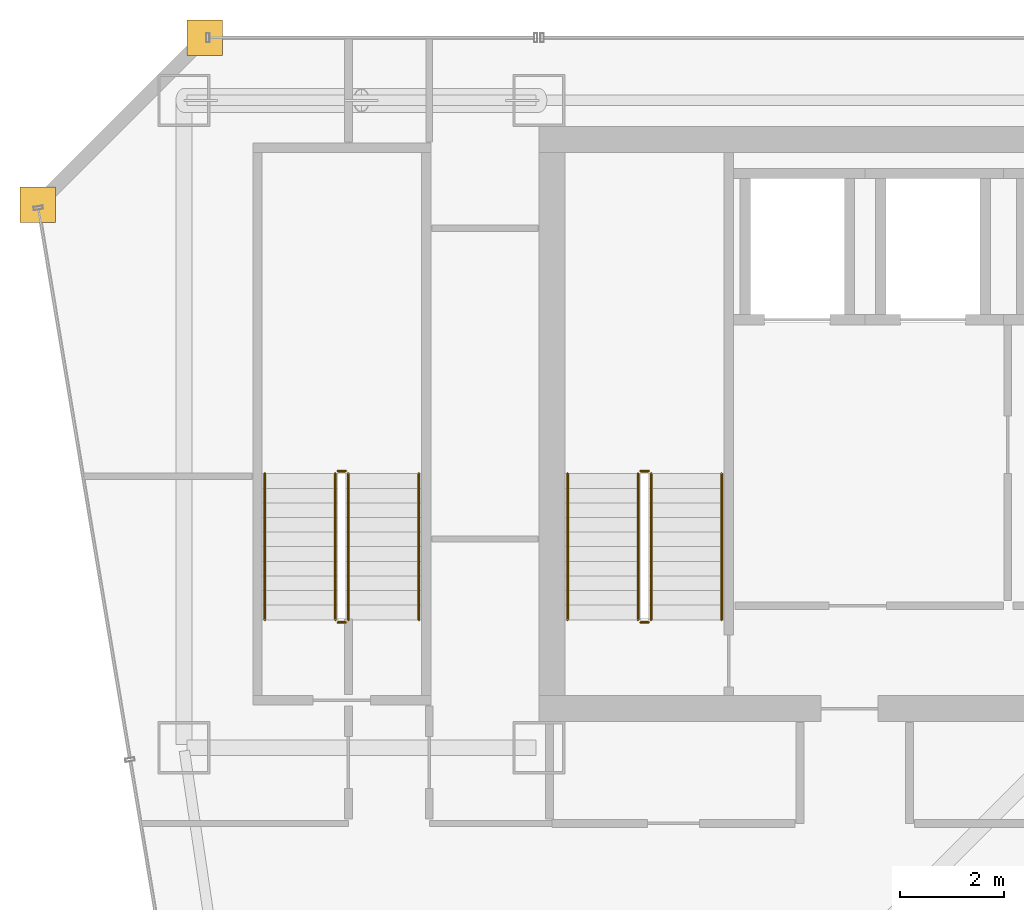
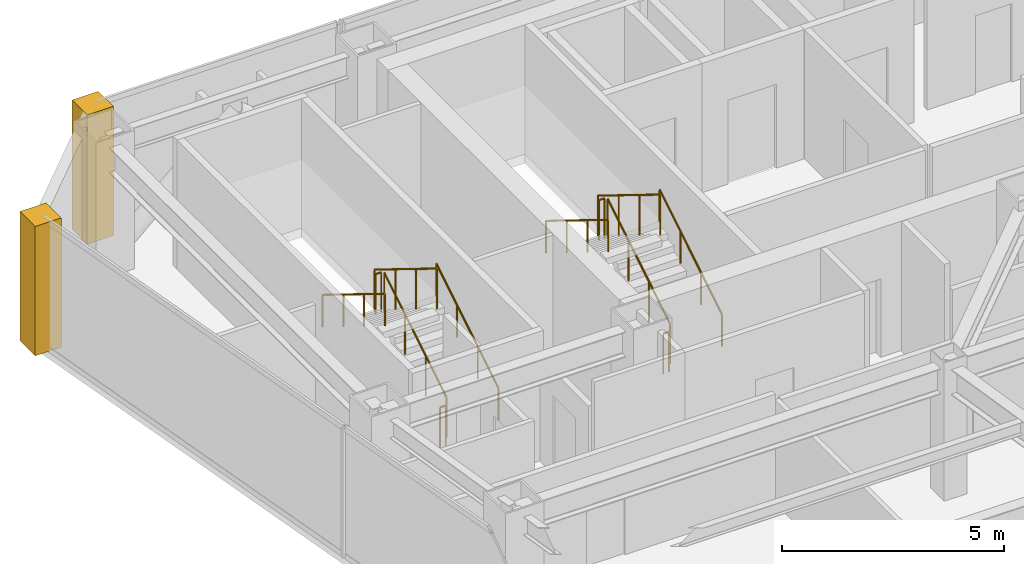
# One storey, part 36 of 37: 12 railings, 2 coverings.
"""IFC4 building model written with IfcOpenShell, lengths in metres."""

from ifc_helpers import new_model, si_unit, direction, frame, origin, origin_2d, place, context, subcontext, project, spatial, polyline, circle, outline, extrude, material, layer, layer_set, type_object, element, save


model = new_model("IFC4")

# Units and contexts
model_context = context("Model", 3, precision=1e-05, world=origin(), true_north=direction((0.0, 1.0)))
body_context = subcontext(model_context, "Body", "Model", "MODEL_VIEW")
ifc_project = project(units=[si_unit("LENGTHUNIT", "METRE"), si_unit("AREAUNIT", "SQUARE_METRE"), si_unit("VOLUMEUNIT", "CUBIC_METRE"), si_unit("PLANEANGLEUNIT", "RADIAN"), si_unit("MASSUNIT", "GRAM", prefix="KILO")], contexts=[model_context])

# Site, building, storey
site_placement = place(None, origin())
site = spatial("IfcSite", under=ifc_project, at=site_placement, CompositionType="ELEMENT")
building_placement = place(site_placement, origin())
building = spatial("IfcBuilding", under=site, at=building_placement, Name="Saevonmaru Cultural Tower", CompositionType="ELEMENT")
storey_placement = place(building_placement, frame((0.0, 0.0, 144.800048828125)))
storey = spatial("IfcBuildingStorey", under=building, at=storey_placement, Name="L31", CompositionType="ELEMENT", Elevation=144.800048828125)

# Coverings
ifc_material_1 = material(Name="Satin Bronze Anodised Aluminium", Category="aluminium")
ifc_layer = layer(ifc_material_1, 0.679931640625, Name="Satin Bronze Anodised Aluminium")
ifc_layer_set = layer_set([ifc_layer], Name="Satin Bronze Anodised Aluminium")
covering_type = type_object("IfcCoveringType", Name="CV-CORNER-CLAD", PredefinedType="CLADDING", material=ifc_layer_set)
covering_1_placement = place(storey_placement, origin())
element("IfcCovering", 1, at=covering_1_placement, inside=storey, type_object=covering_type, Name="L31 Tower Bronze Corner Cladding Pier 11", PredefinedType="CLADDING", context=body_context, shape_type="SweptSolid", body=[
    extrude(outline(polyline([(6.860107421875, 55.659912109375), (7.5400390625, 55.659912109375), (7.5400390625, 56.340087890625), (6.860107421875, 56.340087890625), (6.860107421875, 55.659912109375)])), origin(), (0.0, 0.0, 1.0), 3.550048828125),
])
covering_2_placement = place(storey_placement, origin())
element("IfcCovering", 2, at=covering_2_placement, inside=storey, type_object=covering_type, Name="L31 Tower Bronze Corner Cladding Pier 12", PredefinedType="CLADDING", context=body_context, shape_type="SweptSolid", body=[
    extrude(outline(polyline([(3.659912109375, 52.4599609375), (4.340087890625, 52.4599609375), (4.340087890625, 53.139892578125), (3.659912109375, 53.139892578125), (3.659912109375, 52.4599609375)])), origin(), (0.0, 0.0, 1.0), 3.550048828125),
])

# Railings
ifc_material_2 = material(Name="Architectural Painted Steel", Category="steel")
railing_type_1 = type_object("IfcRailingType", Name="RL-STAIR-GUARD", PredefinedType="GUARDRAIL", material=ifc_material_2)
railing_1_placement = place(storey_placement, frame((15.75, 44.85009765625, 0.172607421875)))
element("IfcRailing", 3, at=railing_1_placement, inside=storey, type_object=railing_type_1, Name="L31 ST-1 stair guard 1", PredefinedType="GUARDRAIL", context=body_context, shape_type="SweptSolid", body=[
    extrude(circle(Radius=0.02392578125, at=origin_2d()), frame((0.0, 0.0, 1.09619140625), z_axis=(0.0, 0.851069175582, 0.525053576669), x_axis=(-1.0, 0.0, 0.0)), (0.0, 0.0, 1.0), 3.289794921875),
    extrude(circle(Radius=0.02099609375, at=origin_2d()), origin(), (0.0, 0.0, 1.0), 1.072021484375),
    extrude(circle(Radius=0.02099609375, at=origin_2d()), frame((0.0, 0.933349609375, 0.57568359375)), (0.0, 0.0, 1.0), 1.072021484375),
    extrude(circle(Radius=0.02099609375, at=origin_2d()), frame((0.0, 1.866455078125, 1.151611328125)), (0.0, 0.0, 1.0), 1.072021484375),
    extrude(circle(Radius=0.02099609375, at=origin_2d()), frame((0.0, 2.7998046875, 1.727294921875)), (0.0, 0.0, 1.0), 1.072021484375),
])
railing_2_placement = place(storey_placement, frame((15.699951171875, 47.699951171875, 1.89990234375)))
element("IfcRailing", 4, at=railing_2_placement, inside=storey, type_object=railing_type_1, Name="L31 ST-1 stair guard 2", PredefinedType="GUARDRAIL", context=body_context, shape_type="SweptSolid", body=[
    extrude(circle(Radius=0.02392578125, at=origin_2d()), frame((0.0, 0.0, 1.09619140625), z_axis=(-1.0, 0.0, 0.0), x_axis=(0.0, -1.0, 0.0)), (0.0, 0.0, 1.0), 0.14990234375),
    extrude(circle(Radius=0.02099609375, at=origin_2d()), origin(), (0.0, 0.0, 1.0), 1.072021484375),
    extrude(circle(Radius=0.02099609375, at=origin_2d()), frame((-0.14990234375, 0.0, 0.0)), (0.0, 0.0, 1.0), 1.072021484375),
])
railing_3_placement = place(storey_placement, frame((15.5, 47.64990234375, 2.07275390625)))
element("IfcRailing", 5, at=railing_3_placement, inside=storey, type_object=railing_type_1, Name="L31 ST-1 stair guard 3", PredefinedType="GUARDRAIL", context=body_context, shape_type="SweptSolid", body=[
    extrude(circle(Radius=0.02392578125, at=origin_2d()), frame((0.0, 0.0, 1.09619140625), z_axis=(0.0, -0.851069175582, 0.525053576669), x_axis=(1.0, 0.0, 0.0)), (0.0, 0.0, 1.0), 3.289794921875),
    extrude(circle(Radius=0.02099609375, at=origin_2d()), origin(), (0.0, 0.0, 1.0), 1.072021484375),
    extrude(circle(Radius=0.02099609375, at=origin_2d()), frame((0.0, -0.933349609375, 0.57568359375)), (0.0, 0.0, 1.0), 1.072021484375),
    extrude(circle(Radius=0.02099609375, at=origin_2d()), frame((0.0, -1.866455078125, 1.151611328125)), (0.0, 0.0, 1.0), 1.072021484375),
    extrude(circle(Radius=0.02099609375, at=origin_2d()), frame((0.0, -2.7998046875, 1.727294921875)), (0.0, 0.0, 1.0), 1.072021484375),
])
railing_4_placement = place(storey_placement, frame((15.699951171875, 44.800048828125, 0.0)))
element("IfcRailing", 6, at=railing_4_placement, inside=storey, type_object=railing_type_1, Name="L31 ST-1 stair guard 4", PredefinedType="GUARDRAIL", context=body_context, shape_type="SweptSolid", body=[
    extrude(circle(Radius=0.02392578125, at=origin_2d()), frame((0.0, 0.0, 1.09619140625), z_axis=(-1.0, 0.0, 0.0), x_axis=(0.0, -1.0, 0.0)), (0.0, 0.0, 1.0), 0.14990234375),
    extrude(circle(Radius=0.02099609375, at=origin_2d()), origin(), (0.0, 0.0, 1.0), 1.072021484375),
    extrude(circle(Radius=0.02099609375, at=origin_2d()), frame((-0.14990234375, 0.0, 0.0)), (0.0, 0.0, 1.0), 1.072021484375),
])
railing_5_placement = place(storey_placement, frame((9.949951171875, 44.85009765625, 0.172607421875)))
element("IfcRailing", 7, at=railing_5_placement, inside=storey, type_object=railing_type_1, Name="L31 ST-3 stair guard 1", PredefinedType="GUARDRAIL", context=body_context, shape_type="SweptSolid", body=[
    extrude(circle(Radius=0.02392578125, at=origin_2d()), frame((0.0, 0.0, 1.09619140625), z_axis=(0.0, 0.851069175582, 0.525053576669), x_axis=(-1.0, 0.0, 0.0)), (0.0, 0.0, 1.0), 3.289794921875),
    extrude(circle(Radius=0.02099609375, at=origin_2d()), origin(), (0.0, 0.0, 1.0), 1.072021484375),
    extrude(circle(Radius=0.02099609375, at=origin_2d()), frame((0.0, 0.933349609375, 0.57568359375)), (0.0, 0.0, 1.0), 1.072021484375),
    extrude(circle(Radius=0.02099609375, at=origin_2d()), frame((0.0, 1.866455078125, 1.151611328125)), (0.0, 0.0, 1.0), 1.072021484375),
    extrude(circle(Radius=0.02099609375, at=origin_2d()), frame((0.0, 2.7998046875, 1.727294921875)), (0.0, 0.0, 1.0), 1.072021484375),
])
railing_6_placement = place(storey_placement, frame((9.89990234375, 47.699951171875, 1.89990234375)))
element("IfcRailing", 8, at=railing_6_placement, inside=storey, type_object=railing_type_1, Name="L31 ST-3 stair guard 2", PredefinedType="GUARDRAIL", context=body_context, shape_type="SweptSolid", body=[
    extrude(circle(Radius=0.02392578125, at=origin_2d()), frame((0.0, 0.0, 1.09619140625), z_axis=(-1.0, 0.0, 0.0), x_axis=(0.0, -1.0, 0.0)), (0.0, 0.0, 1.0), 0.14990234375),
    extrude(circle(Radius=0.02099609375, at=origin_2d()), origin(), (0.0, 0.0, 1.0), 1.072021484375),
    extrude(circle(Radius=0.02099609375, at=origin_2d()), frame((-0.14990234375, 0.0, 0.0)), (0.0, 0.0, 1.0), 1.072021484375),
])
railing_7_placement = place(storey_placement, frame((9.699951171875, 47.64990234375, 2.07275390625)))
element("IfcRailing", 9, at=railing_7_placement, inside=storey, type_object=railing_type_1, Name="L31 ST-3 stair guard 3", PredefinedType="GUARDRAIL", context=body_context, shape_type="SweptSolid", body=[
    extrude(circle(Radius=0.02392578125, at=origin_2d()), frame((0.0, 0.0, 1.09619140625), z_axis=(0.0, -0.851069175582, 0.525053576669), x_axis=(1.0, 0.0, 0.0)), (0.0, 0.0, 1.0), 3.289794921875),
    extrude(circle(Radius=0.02099609375, at=origin_2d()), origin(), (0.0, 0.0, 1.0), 1.072021484375),
    extrude(circle(Radius=0.02099609375, at=origin_2d()), frame((0.0, -0.933349609375, 0.57568359375)), (0.0, 0.0, 1.0), 1.072021484375),
    extrude(circle(Radius=0.02099609375, at=origin_2d()), frame((0.0, -1.866455078125, 1.151611328125)), (0.0, 0.0, 1.0), 1.072021484375),
    extrude(circle(Radius=0.02099609375, at=origin_2d()), frame((0.0, -2.7998046875, 1.727294921875)), (0.0, 0.0, 1.0), 1.072021484375),
])
railing_8_placement = place(storey_placement, frame((9.89990234375, 44.800048828125, 0.0)))
element("IfcRailing", 10, at=railing_8_placement, inside=storey, type_object=railing_type_1, Name="L31 ST-3 stair guard 4", PredefinedType="GUARDRAIL", context=body_context, shape_type="SweptSolid", body=[
    extrude(circle(Radius=0.02392578125, at=origin_2d()), frame((0.0, 0.0, 1.09619140625), z_axis=(-1.0, 0.0, 0.0), x_axis=(0.0, -1.0, 0.0)), (0.0, 0.0, 1.0), 0.14990234375),
    extrude(circle(Radius=0.02099609375, at=origin_2d()), origin(), (0.0, 0.0, 1.0), 1.072021484375),
    extrude(circle(Radius=0.02099609375, at=origin_2d()), frame((-0.14990234375, 0.0, 0.0)), (0.0, 0.0, 1.0), 1.072021484375),
])
railing_type_2 = type_object("IfcRailingType", Name="RL-STAIR-HANDRAIL", PredefinedType="HANDRAIL", material=ifc_material_1)
railing_9_placement = place(storey_placement, frame((17.10009765625, 44.85009765625, 0.172607421875)))
element("IfcRailing", 11, at=railing_9_placement, inside=storey, type_object=railing_type_2, Name="L31 ST-1 stair handrail 1", PredefinedType="HANDRAIL", context=body_context, shape_type="SweptSolid", body=[
    extrude(circle(Radius=0.02392578125, at=origin_2d()), frame((0.0, 0.0, 0.8759765625), z_axis=(0.0, 0.851069175582, 0.525053576669), x_axis=(-1.0, 0.0, 0.0)), (0.0, 0.0, 1.0), 3.289794921875),
    extrude(circle(Radius=0.02099609375, at=origin_2d()), origin(), (0.0, 0.0, 1.0), 0.851806640625),
    extrude(circle(Radius=0.02099609375, at=origin_2d()), frame((0.0, 0.933349609375, 0.57568359375)), (0.0, 0.0, 1.0), 0.851806640625),
    extrude(circle(Radius=0.02099609375, at=origin_2d()), frame((0.0, 1.866455078125, 1.151611328125)), (0.0, 0.0, 1.0), 0.851806640625),
    extrude(circle(Radius=0.02099609375, at=origin_2d()), frame((0.0, 2.7998046875, 1.727294921875)), (0.0, 0.0, 1.0), 0.851806640625),
])
railing_10_placement = place(storey_placement, frame((14.14990234375, 47.64990234375, 2.07275390625)))
element("IfcRailing", 12, at=railing_10_placement, inside=storey, type_object=railing_type_2, Name="L31 ST-1 stair handrail 2", PredefinedType="HANDRAIL", context=body_context, shape_type="SweptSolid", body=[
    extrude(circle(Radius=0.02392578125, at=origin_2d()), frame((0.0, 0.0, 0.8759765625), z_axis=(0.0, -0.851069175582, 0.525053576669), x_axis=(1.0, 0.0, 0.0)), (0.0, 0.0, 1.0), 3.289794921875),
    extrude(circle(Radius=0.02099609375, at=origin_2d()), origin(), (0.0, 0.0, 1.0), 0.851806640625),
    extrude(circle(Radius=0.02099609375, at=origin_2d()), frame((0.0, -0.933349609375, 0.57568359375)), (0.0, 0.0, 1.0), 0.851806640625),
    extrude(circle(Radius=0.02099609375, at=origin_2d()), frame((0.0, -1.866455078125, 1.151611328125)), (0.0, 0.0, 1.0), 0.851806640625),
    extrude(circle(Radius=0.02099609375, at=origin_2d()), frame((0.0, -2.7998046875, 1.727294921875)), (0.0, 0.0, 1.0), 0.851806640625),
])
railing_11_placement = place(storey_placement, frame((11.300048828125, 44.85009765625, 0.172607421875)))
element("IfcRailing", 13, at=railing_11_placement, inside=storey, type_object=railing_type_2, Name="L31 ST-3 stair handrail 1", PredefinedType="HANDRAIL", context=body_context, shape_type="SweptSolid", body=[
    extrude(circle(Radius=0.02392578125, at=origin_2d()), frame((0.0, 0.0, 0.8759765625), z_axis=(0.0, 0.851069175582, 0.525053576669), x_axis=(-1.0, 0.0, 0.0)), (0.0, 0.0, 1.0), 3.289794921875),
    extrude(circle(Radius=0.02099609375, at=origin_2d()), origin(), (0.0, 0.0, 1.0), 0.851806640625),
    extrude(circle(Radius=0.02099609375, at=origin_2d()), frame((0.0, 0.933349609375, 0.57568359375)), (0.0, 0.0, 1.0), 0.851806640625),
    extrude(circle(Radius=0.02099609375, at=origin_2d()), frame((0.0, 1.866455078125, 1.151611328125)), (0.0, 0.0, 1.0), 0.851806640625),
    extrude(circle(Radius=0.02099609375, at=origin_2d()), frame((0.0, 2.7998046875, 1.727294921875)), (0.0, 0.0, 1.0), 0.851806640625),
])
railing_12_placement = place(storey_placement, frame((8.35009765625, 47.64990234375, 2.07275390625)))
element("IfcRailing", 14, at=railing_12_placement, inside=storey, type_object=railing_type_2, Name="L31 ST-3 stair handrail 2", PredefinedType="HANDRAIL", context=body_context, shape_type="SweptSolid", body=[
    extrude(circle(Radius=0.02392578125, at=origin_2d()), frame((0.0, 0.0, 0.8759765625), z_axis=(0.0, -0.851069175582, 0.525053576669), x_axis=(1.0, 0.0, 0.0)), (0.0, 0.0, 1.0), 3.289794921875),
    extrude(circle(Radius=0.02099609375, at=origin_2d()), origin(), (0.0, 0.0, 1.0), 0.851806640625),
    extrude(circle(Radius=0.02099609375, at=origin_2d()), frame((0.0, -0.933349609375, 0.57568359375)), (0.0, 0.0, 1.0), 0.851806640625),
    extrude(circle(Radius=0.02099609375, at=origin_2d()), frame((0.0, -1.866455078125, 1.151611328125)), (0.0, 0.0, 1.0), 0.851806640625),
    extrude(circle(Radius=0.02099609375, at=origin_2d()), frame((0.0, -2.7998046875, 1.727294921875)), (0.0, 0.0, 1.0), 0.851806640625),
])

save(model, "model.ifc")
